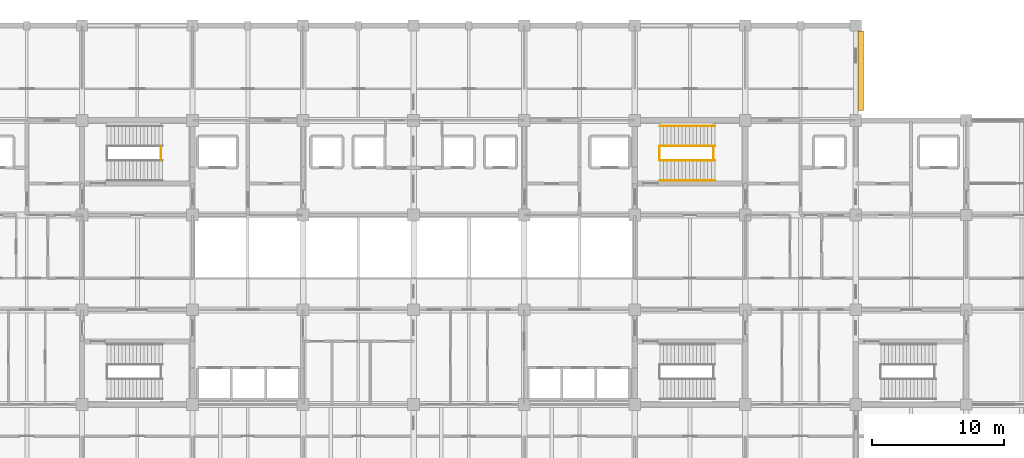
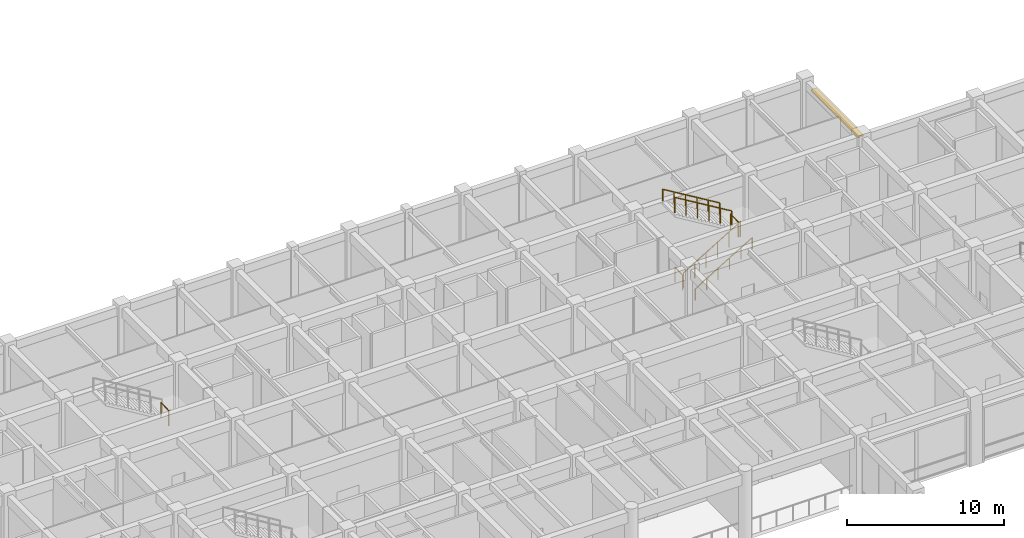
# One storey, part 66 of 68: 7 railings, 1 shading device.
"""IFC4 building model written with IfcOpenShell, lengths in metres."""

from ifc_helpers import new_model, si_unit, direction, frame, origin, origin_2d, place, context, subcontext, project, spatial, rectangle, circle, extrude, material, type_object, element, save


model = new_model("IFC4")

# Units and contexts
model_context = context("Model", 3, precision=1e-05, world=origin(), true_north=direction((0.0, 1.0)))
body_context = subcontext(model_context, "Body", "Model", "MODEL_VIEW")
ifc_project = project(units=[si_unit("LENGTHUNIT", "METRE"), si_unit("AREAUNIT", "SQUARE_METRE"), si_unit("VOLUMEUNIT", "CUBIC_METRE"), si_unit("PLANEANGLEUNIT", "RADIAN"), si_unit("MASSUNIT", "GRAM", prefix="KILO")], contexts=[model_context])

# Site, building, storey
site_placement = place(None, origin())
site = spatial("IfcSite", under=ifc_project, at=site_placement, CompositionType="ELEMENT")
building_placement = place(site_placement, origin())
building = spatial("IfcBuilding", under=site, at=building_placement, Name="Chengyuan Square Courthouse", CompositionType="ELEMENT")
storey_placement = place(building_placement, frame((0.0, 0.0, 5.39990234375)))
storey = spatial("IfcBuildingStorey", under=building, at=storey_placement, Name="L02", CompositionType="ELEMENT", Elevation=5.39990234375)

# Railings
ifc_material_1 = material(Name="Tempered Glass and Timber Top-Rail Balustrade", Category="wood")
railing_type_1 = type_object("IfcRailingType", Name="RL-02", PredefinedType="BALUSTRADE", material=ifc_material_1)
for number, where, name in (
    (1, (64.7900390625, 105.0, 2.7001953125), "Stair Landing Guard ST-1-L02"),
    (2, (102.68994140625, 105.0, 0.0), "Stair Floor Slot Guard ST-2 L02"),
    (3, (106.7900390625, 105.0, 2.7001953125), "Stair Landing Guard ST-2-L02"),
):
    element("IfcRailing", number, at=place(storey_placement, frame(where)), inside=storey, type_object=railing_type_1, Name=name, PredefinedType="BALUSTRADE", context=body_context, shape_type="SweptSolid", body=[
        extrude(circle(Radius=0.02392578125, at=origin_2d()), frame((0.0, 0.0, 1.17578125), z_axis=(0.0, 1.0, 0.0), x_axis=(-1.0, 0.0, 0.0)), (0.0, 0.0, 1.0), 1.0),
        extrude(circle(Radius=0.02099609375, at=origin_2d()), origin(), (0.0, 0.0, 1.0), 1.15185546875),
        extrude(circle(Radius=0.02099609375, at=origin_2d()), frame((0.0, 1.0, 0.0)), (0.0, 0.0, 1.0), 1.15185546875),
    ])
railing_1_placement = place(storey_placement, frame((102.7099609375, 104.949951171875, 0.1689453125)))
element("IfcRailing", 4, at=railing_1_placement, inside=storey, type_object=railing_type_1, Name="Stair Flight 1 Guard ST-2-L02", PredefinedType="BALUSTRADE", context=body_context, shape_type="SweptSolid", body=[
    extrude(circle(Radius=0.02392578125, at=origin_2d()), frame((0.0, 0.0, 1.17578125), z_axis=(0.856476492594, 0.0, 0.516186030065), x_axis=(0.0, 1.0, 0.0)), (0.0, 0.0, 1.0), 4.90380859375),
    extrude(circle(Radius=0.02099609375, at=origin_2d()), origin(), (0.0, 0.0, 1.0), 1.15185546875),
    extrude(circle(Radius=0.02099609375, at=origin_2d()), frame((0.840087890625, 0.0, 0.50634765625)), (0.0, 0.0, 1.0), 1.15185546875),
    extrude(circle(Radius=0.02099609375, at=origin_2d()), frame((1.679931640625, 0.0, 1.012451171875)), (0.0, 0.0, 1.0), 1.15185546875),
    extrude(circle(Radius=0.02099609375, at=origin_2d()), frame((2.52001953125, 0.0, 1.518798828125)), (0.0, 0.0, 1.0), 1.15185546875),
    extrude(circle(Radius=0.02099609375, at=origin_2d()), frame((3.35986328125, 0.0, 2.02490234375)), (0.0, 0.0, 1.0), 1.15185546875),
    extrude(circle(Radius=0.02099609375, at=origin_2d()), frame((4.199951171875, 0.0, 2.53125)), (0.0, 0.0, 1.0), 1.15185546875),
])
railing_2_placement = place(storey_placement, frame((106.909912109375, 106.050048828125, 2.868896484375)))
element("IfcRailing", 5, at=railing_2_placement, inside=storey, type_object=railing_type_1, Name="Stair Flight 2 Guard ST-2-L02", PredefinedType="BALUSTRADE", context=body_context, shape_type="SweptSolid", body=[
    extrude(circle(Radius=0.02392578125, at=origin_2d()), frame((0.0, 0.0, 1.17578125), z_axis=(-0.856476492594, 0.0, 0.516186030065), x_axis=(0.0, -1.0, 0.0)), (0.0, 0.0, 1.0), 4.90380859375),
    extrude(circle(Radius=0.02099609375, at=origin_2d()), origin(), (0.0, 0.0, 1.0), 1.15185546875),
    extrude(circle(Radius=0.02099609375, at=origin_2d()), frame((-0.840087890625, 0.0, 0.50634765625)), (0.0, 0.0, 1.0), 1.15185546875),
    extrude(circle(Radius=0.02099609375, at=origin_2d()), frame((-1.679931640625, 0.0, 1.012451171875)), (0.0, 0.0, 1.0), 1.15185546875),
    extrude(circle(Radius=0.02099609375, at=origin_2d()), frame((-2.52001953125, 0.0, 1.518798828125)), (0.0, 0.0, 1.0), 1.15185546875),
    extrude(circle(Radius=0.02099609375, at=origin_2d()), frame((-3.35986328125, 0.0, 2.02490234375)), (0.0, 0.0, 1.0), 1.15185546875),
    extrude(circle(Radius=0.02099609375, at=origin_2d()), frame((-4.199951171875, 0.0, 2.53125)), (0.0, 0.0, 1.0), 1.15185546875),
])
ifc_material_2 = material(Name="Stainless Steel S30408 Stair Handrail", Category="steel")
railing_type_2 = type_object("IfcRailingType", Name="RL-04", PredefinedType="HANDRAIL", material=ifc_material_2)
railing_3_placement = place(storey_placement, frame((102.7099609375, 103.419921875, 0.1689453125)))
element("IfcRailing", 6, at=railing_3_placement, inside=storey, type_object=railing_type_2, Name="Stair Flight 1 Handrail ST-2-L02", PredefinedType="HANDRAIL", context=body_context, shape_type="SweptSolid", body=[
    extrude(circle(Radius=0.02392578125, at=origin_2d()), frame((0.0, 0.0, 0.8759765625), z_axis=(0.856476492594, 0.0, 0.516186030065), x_axis=(0.0, 1.0, 0.0)), (0.0, 0.0, 1.0), 4.90380859375),
    extrude(circle(Radius=0.02099609375, at=origin_2d()), origin(), (0.0, 0.0, 1.0), 0.851806640625),
    extrude(circle(Radius=0.02099609375, at=origin_2d()), frame((0.840087890625, 0.0, 0.50634765625)), (0.0, 0.0, 1.0), 0.851806640625),
    extrude(circle(Radius=0.02099609375, at=origin_2d()), frame((1.679931640625, 0.0, 1.012451171875)), (0.0, 0.0, 1.0), 0.851806640625),
    extrude(circle(Radius=0.02099609375, at=origin_2d()), frame((2.52001953125, 0.0, 1.518798828125)), (0.0, 0.0, 1.0), 0.851806640625),
    extrude(circle(Radius=0.02099609375, at=origin_2d()), frame((3.35986328125, 0.0, 2.02490234375)), (0.0, 0.0, 1.0), 0.851806640625),
    extrude(circle(Radius=0.02099609375, at=origin_2d()), frame((4.199951171875, 0.0, 2.53125)), (0.0, 0.0, 1.0), 0.851806640625),
])
railing_4_placement = place(storey_placement, frame((106.909912109375, 107.580078125, 2.868896484375)))
element("IfcRailing", 7, at=railing_4_placement, inside=storey, type_object=railing_type_2, Name="Stair Flight 2 Handrail ST-2-L02", PredefinedType="HANDRAIL", context=body_context, shape_type="SweptSolid", body=[
    extrude(circle(Radius=0.02392578125, at=origin_2d()), frame((0.0, 0.0, 0.8759765625), z_axis=(-0.856476492594, 0.0, 0.516186030065), x_axis=(0.0, -1.0, 0.0)), (0.0, 0.0, 1.0), 4.90380859375),
    extrude(circle(Radius=0.02099609375, at=origin_2d()), origin(), (0.0, 0.0, 1.0), 0.851806640625),
    extrude(circle(Radius=0.02099609375, at=origin_2d()), frame((-0.840087890625, 0.0, 0.50634765625)), (0.0, 0.0, 1.0), 0.851806640625),
    extrude(circle(Radius=0.02099609375, at=origin_2d()), frame((-1.679931640625, 0.0, 1.012451171875)), (0.0, 0.0, 1.0), 0.851806640625),
    extrude(circle(Radius=0.02099609375, at=origin_2d()), frame((-2.52001953125, 0.0, 1.518798828125)), (0.0, 0.0, 1.0), 0.851806640625),
    extrude(circle(Radius=0.02099609375, at=origin_2d()), frame((-3.35986328125, 0.0, 2.02490234375)), (0.0, 0.0, 1.0), 0.851806640625),
    extrude(circle(Radius=0.02099609375, at=origin_2d()), frame((-4.199951171875, 0.0, 2.53125)), (0.0, 0.0, 1.0), 0.851806640625),
])

# Shading device
ifc_material_3 = material(Name="Glulam TCt28 Facade Sunshade", Category="wood")
shading_device_type = type_object("IfcShadingDeviceType", Name="SHD-03", PredefinedType="AWNING", material=ifc_material_3)
shading_device_placement = place(storey_placement, frame((117.98193359375, 111.762451171875, 4.2802734375), z_axis=(0.0, 0.0, 1.0), x_axis=(0.0, 1.0, 0.0)))
element("IfcShadingDevice", 8, at=shading_device_placement, inside=storey, type_object=shading_device_type, Name="Glulam Facade Sunshade SHD-L02-0229", PredefinedType="AWNING", context=body_context, shape_type="SweptSolid", body=[
    extrude(rectangle(XDim=6.034912109375, YDim=0.39990234375, at=origin_2d()), origin(), (0.0, 0.0, 1.0), 0.139892578125),
])

save(model, "model.ifc")
